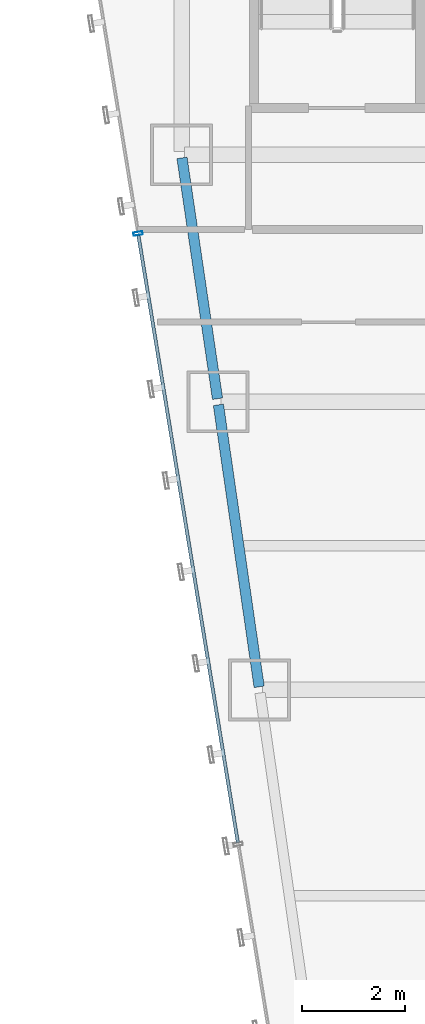
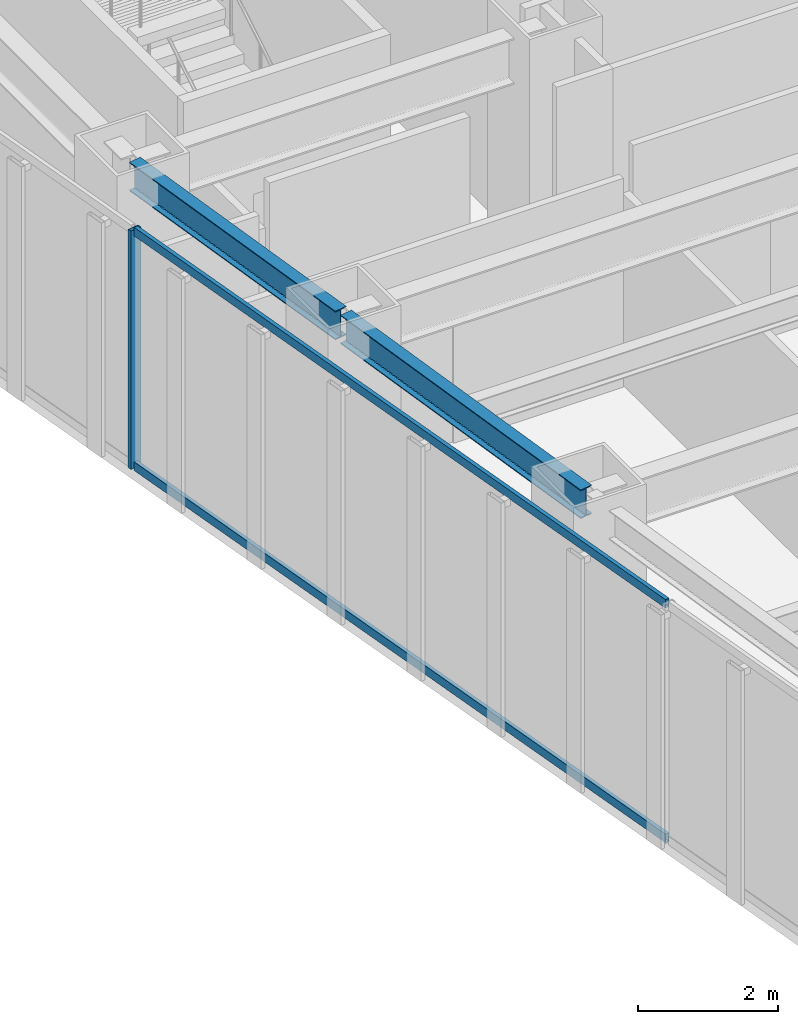
# One storey, part 22 of 47: 3 members, 2 beams, 1 element without a shape of its own.
"""IFC4 building model written with IfcOpenShell, lengths in metres."""

from ifc_helpers import new_model, si_unit, direction, frame, origin, origin_2d, place, context, subcontext, project, spatial, hollow_rectangle, i_section, extrude, material, material_profile, profile_set, type_object, element, aggregate, save


model = new_model("IFC4")

# Units and contexts
model_context = context("Model", 3, precision=1e-05, world=origin(), true_north=direction((0.0, 1.0)))
body_context = subcontext(model_context, "Body", "Model", "MODEL_VIEW")
ifc_project = project(units=[si_unit("LENGTHUNIT", "METRE"), si_unit("AREAUNIT", "SQUARE_METRE"), si_unit("VOLUMEUNIT", "CUBIC_METRE"), si_unit("PLANEANGLEUNIT", "RADIAN"), si_unit("MASSUNIT", "GRAM", prefix="KILO")], contexts=[model_context])

# Site, building, storey
site_placement = place(None, origin())
site = spatial("IfcSite", under=ifc_project, at=site_placement, CompositionType="ELEMENT")
building_placement = place(site_placement, origin())
building = spatial("IfcBuilding", under=site, at=building_placement, Name="Saevonmaru Cultural Tower", CompositionType="ELEMENT")
storey_placement = place(building_placement, frame((0.0, 0.0, 47.199951171875)))
storey = spatial("IfcBuildingStorey", under=building, at=storey_placement, Name="L09", CompositionType="ELEMENT", Elevation=47.199951171875)

# Beams
ifc_material_1 = material(Name="Steel SM355", Category="steel")
ifc_material_profile_1 = material_profile(ifc_material_1, i_section(OverallWidth=0.199951171875, OverallDepth=0.5, WebThickness=0.010009765625, FlangeThickness=0.01611328125, FilletRadius=0.02001953125, at=origin_2d()), Name="H-500x200x10x16")
ifc_profile_set_1 = profile_set([ifc_material_profile_1], Name="Steel SM355")
beam_type = type_object("IfcBeamType", Name="BM-SP-H500", PredefinedType="SPANDREL", material=ifc_profile_set_1)
beam_1_placement = place(storey_placement, frame((8.308349609375, 32.059326171875, 3.900146484375), z_axis=(-0.142964121327, 0.989727871697, 0.0), x_axis=(-0.989727871697, -0.142964121327, 0.0)))
element("IfcBeam", 1, at=beam_1_placement, inside=storey, type_object=beam_type, Name="L09 West Splayed Spandrel 5", PredefinedType="SPANDREL", context=body_context, shape_type="SweptSolid", body=[
    extrude(i_section(OverallWidth=0.199951171875, OverallDepth=0.5, WebThickness=0.010009765625, FlangeThickness=0.01611328125, FilletRadius=0.02001953125, at=origin_2d()), origin(), (0.0, 0.0, 1.0), 5.5380859375),
])
beam_2_placement = place(storey_placement, frame((7.499267578125, 37.659423828125, 3.900146484375), z_axis=(-0.145912860028, 0.989297446312, 0.0), x_axis=(-0.989297446312, -0.145912860028, 0.0)))
element("IfcBeam", 2, at=beam_2_placement, inside=storey, type_object=beam_type, Name="L09 West Splayed Spandrel 6", PredefinedType="SPANDREL", context=body_context, shape_type="SweptSolid", body=[
    extrude(i_section(OverallWidth=0.199951171875, OverallDepth=0.5, WebThickness=0.010009765625, FlangeThickness=0.01611328125, FilletRadius=0.02001953125, at=origin_2d()), origin(), (0.0, 0.0, 1.0), 4.731689453125),
])

# Curtain wall, members
ifc_material_2 = material(Name="Satin Bronze Anodised Aluminium", Category="aluminium")
curtain_wall_type = type_object("IfcCurtainWallType", Name="CW-TYP-A", PredefinedType="NOTDEFINED", material=ifc_material_2)
curtain_wall_placement = place(storey_placement, origin())
curtain_wall = element("IfcCurtainWall", 3, at=curtain_wall_placement, inside=storey, type_object=curtain_wall_type, Name="L09 Unitised Curtain Wall E12", PredefinedType="NOTDEFINED")
ifc_material_profile_2 = material_profile(ifc_material_2, hollow_rectangle(XDim=0.06494140625, YDim=0.179931640625, WallThickness=0.00390625, at=origin_2d()), Name="ALU-MULL-180x65x4")
ifc_profile_set_2 = profile_set([ifc_material_profile_2], Name="Satin Bronze Anodised Aluminium")
member_type_1 = type_object("IfcMemberType", Name="ML-CW-180x65", PredefinedType="MULLION", material=ifc_profile_set_2)
member_1_placement = place(storey_placement, frame((5.954833984375, 40.870361328125, 0.0), z_axis=(0.0, 0.0, 1.0), x_axis=(0.161708868641, -0.986838508472, 0.0)))
member_1 = element("IfcMember", 4, at=member_1_placement, type_object=member_type_1, Name="CW-TW-L09-E12 mullion 2", PredefinedType="MULLION", context=body_context, shape_type="SweptSolid", body=[
    extrude(hollow_rectangle(XDim=0.06494140625, YDim=0.179931640625, WallThickness=0.00390625, at=origin_2d()), origin(), (0.0, 0.0, 1.0), 4.150146484375),
])
ifc_material_profile_3 = material_profile(ifc_material_2, hollow_rectangle(XDim=0.06494140625, YDim=0.14990234375, WallThickness=0.00390625, at=origin_2d()), Name="ALU-TRAN-150x65x4")
ifc_profile_set_3 = profile_set([ifc_material_profile_3], Name="Satin Bronze Anodised Aluminium")
member_type_2 = type_object("IfcMemberType", Name="TR-CW-150x65", PredefinedType="USERDEFINED", material=ifc_profile_set_3)
member_2_placement = place(storey_placement, frame((5.960205078125, 40.83837890625, 0.032470703125), z_axis=(0.161701400727, -0.986839732177, 0.0), x_axis=(0.986839732177, 0.161701400727, 0.0)))
member_2 = element("IfcMember", 5, at=member_2_placement, type_object=member_type_2, Name="CW-TW-L09-E12 transom 2.1", ObjectType="TRANSOM", PredefinedType="USERDEFINED", context=body_context, shape_type="SweptSolid", body=[
    extrude(hollow_rectangle(XDim=0.06494140625, YDim=0.14990234375, WallThickness=0.00390625, at=origin_2d()), origin(), (0.0, 0.0, 1.0), 11.9638671875),
])
member_3_placement = place(storey_placement, frame((5.960205078125, 40.83837890625, 4.117431640625), z_axis=(0.161701400727, -0.986839732177, 0.0), x_axis=(0.986839732177, 0.161701400727, 0.0)))
member_3 = element("IfcMember", 6, at=member_3_placement, type_object=member_type_2, Name="CW-TW-L09-E12 transom 2.2", ObjectType="TRANSOM", PredefinedType="USERDEFINED", context=body_context, shape_type="SweptSolid", body=[
    extrude(hollow_rectangle(XDim=0.06494140625, YDim=0.14990234375, WallThickness=0.00390625, at=origin_2d()), origin(), (0.0, 0.0, 1.0), 11.9638671875),
])
aggregate(curtain_wall, [member_1, member_2, member_3])

save(model, "model.ifc")
